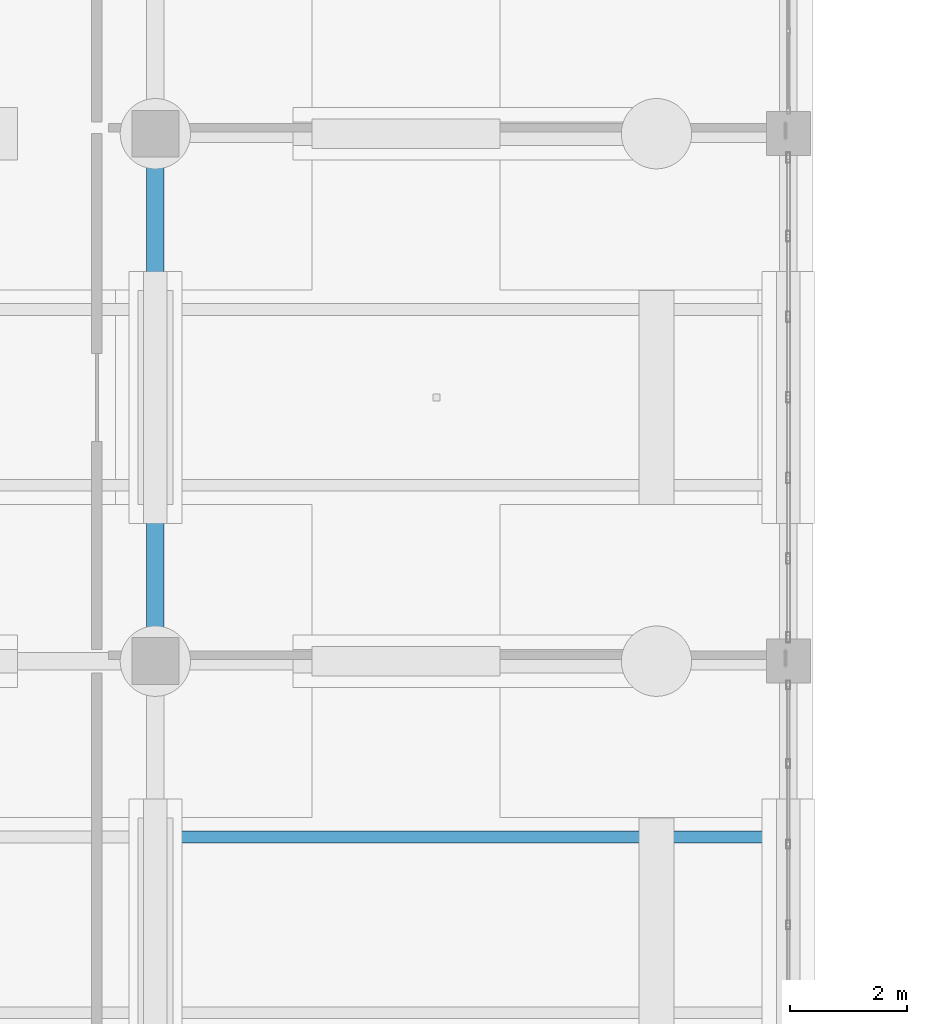
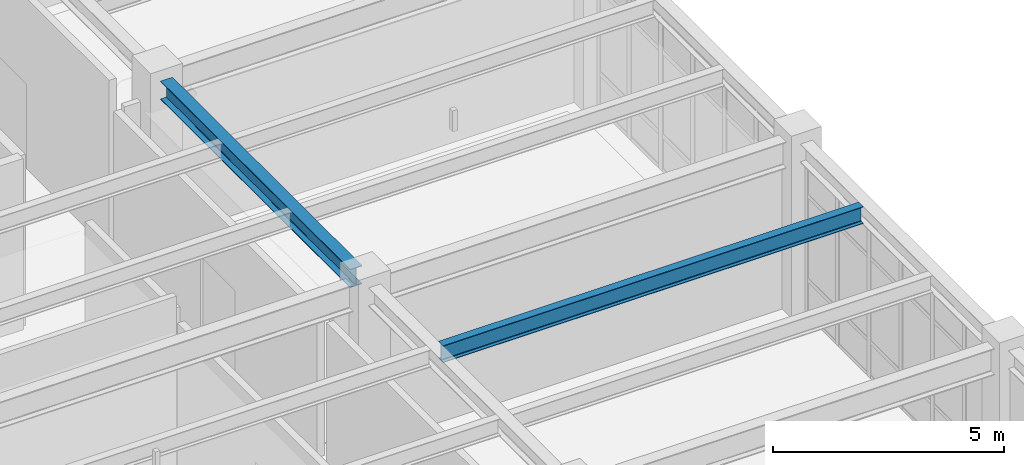
# One storey, part 43 of 98: 2 beams.
"""IFC4 building model written with IfcOpenShell, lengths in metres."""

from ifc_helpers import new_model, si_unit, direction, frame, origin, origin_2d, place, context, subcontext, project, spatial, i_section, extrude, material, material_profile, profile_set, type_object, element, save


model = new_model("IFC4")

# Units and contexts
model_context = context("Model", 3, precision=1e-05, world=origin(), true_north=direction((0.0, 1.0)))
body_context = subcontext(model_context, "Body", "Model", "MODEL_VIEW")
ifc_project = project(units=[si_unit("LENGTHUNIT", "METRE"), si_unit("AREAUNIT", "SQUARE_METRE"), si_unit("VOLUMEUNIT", "CUBIC_METRE"), si_unit("PLANEANGLEUNIT", "RADIAN"), si_unit("MASSUNIT", "GRAM", prefix="KILO")], contexts=[model_context])

# Site, building, storey
site_placement = place(None, origin())
site = spatial("IfcSite", under=ifc_project, at=site_placement, CompositionType="ELEMENT")
building_placement = place(site_placement, origin())
building = spatial("IfcBuilding", under=site, at=building_placement, Name="Canglan Escarpment Cableway Terminal", CompositionType="ELEMENT")
storey_placement = place(building_placement, frame((0.0, 0.0, 9.60009765625)))
storey = spatial("IfcBuildingStorey", under=building, at=storey_placement, Name="L02", CompositionType="ELEMENT", Elevation=9.60009765625)

# Beams
ifc_material = material(Name="Steel Q355B", Category="steel")
ifc_material_profile_1 = material_profile(ifc_material, i_section(OverallWidth=0.300048828125, OverallDepth=0.488037109375, WebThickness=0.010986328125, FlangeThickness=0.01806640625, FilletRadius=0.02587890625, at=origin_2d()), Name="HM 488x300x11x18")
ifc_profile_set_1 = profile_set([ifc_material_profile_1], Name="Steel Q355B")
beam_type_1 = type_object("IfcBeamType", Name="BM-HM488", PredefinedType="BEAM", material=ifc_profile_set_1)
beam_1_placement = place(storey_placement, frame((125.89990234375, 61.39990234375, 4.27587890625), z_axis=(0.0, 1.0, 0.0), x_axis=(-1.0, 0.0, 0.0)))
element("IfcBeam", 1, at=beam_1_placement, inside=storey, type_object=beam_type_1, Name="Primary transverse girder B-09", PredefinedType="BEAM", context=body_context, shape_type="SweptSolid", body=[
    extrude(i_section(OverallWidth=0.300048828125, OverallDepth=0.488037109375, WebThickness=0.010986328125, FlangeThickness=0.01806640625, FilletRadius=0.02587890625, at=origin_2d()), origin(), (0.0, 0.0, 1.0), 8.2001953125),
])
ifc_material_profile_2 = material_profile(ifc_material, i_section(OverallWidth=0.199951171875, OverallDepth=0.449951171875, WebThickness=0.009033203125, FlangeThickness=0.013916015625, FilletRadius=0.01806640625, at=origin_2d()), Name="HN 450x200x9x14")
ifc_profile_set_2 = profile_set([ifc_material_profile_2], Name="Steel Q355B")
beam_type_2 = type_object("IfcBeamType", Name="JS-HN450", PredefinedType="JOIST", material=ifc_profile_set_2)
beam_2_placement = place(storey_placement, frame((126.050048828125, 58.0, 4.294921875), z_axis=(1.0, 0.0, 0.0), x_axis=(0.0, 1.0, 0.0)))
element("IfcBeam", 2, at=beam_2_placement, inside=storey, type_object=beam_type_2, Name="Secondary composite deck joist J-02", PredefinedType="JOIST", context=body_context, shape_type="SweptSolid", body=[
    extrude(i_section(OverallWidth=0.199951171875, OverallDepth=0.449951171875, WebThickness=0.009033203125, FlangeThickness=0.013916015625, FilletRadius=0.01806640625, at=origin_2d()), origin(), (0.0, 0.0, 1.0), 10.5),
])

save(model, "model.ifc")
